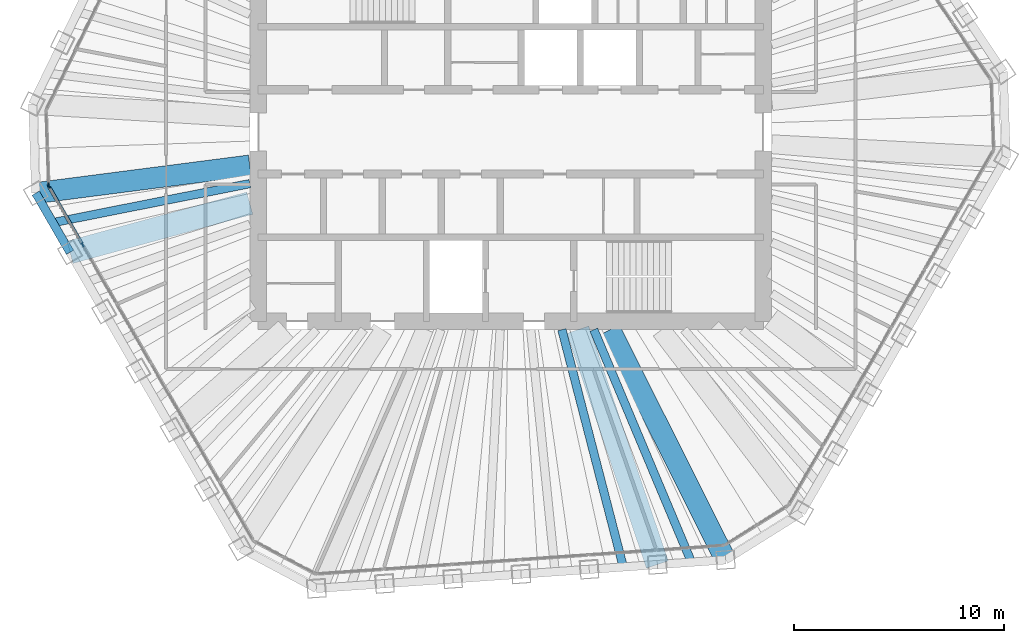
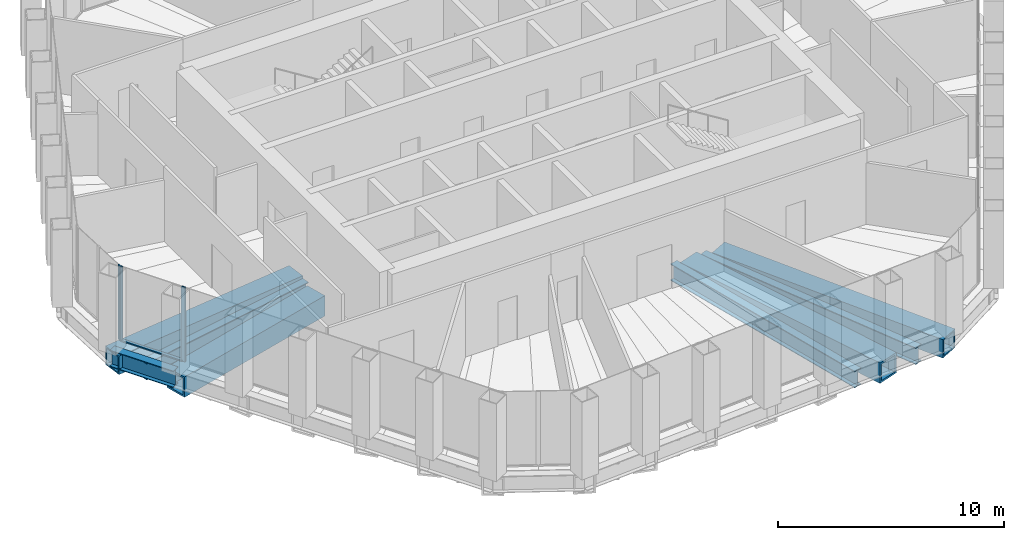
# One storey, part 3 of 14: 8 beams, 4 members, 2 elements without a shape of their own.
"""IFC4 building model written with IfcOpenShell, lengths in metres."""

from ifc_helpers import new_model, si_unit, direction, frame, origin, origin_2d, place, context, subcontext, project, spatial, rectangle, hollow_rectangle, i_section, extrude, material, material_profile, profile_set, type_object, element, aggregate, save


model = new_model("IFC4")

# Units and contexts
model_context = context("Model", 3, precision=1e-05, world=origin(), true_north=direction((0.0, 1.0)))
body_context = subcontext(model_context, "Body", "Model", "MODEL_VIEW")
ifc_project = project(units=[si_unit("LENGTHUNIT", "METRE"), si_unit("AREAUNIT", "SQUARE_METRE"), si_unit("VOLUMEUNIT", "CUBIC_METRE"), si_unit("PLANEANGLEUNIT", "RADIAN"), si_unit("MASSUNIT", "GRAM", prefix="KILO")], contexts=[model_context])

# Site, building, storey
site_placement = place(None, origin())
site = spatial("IfcSite", under=ifc_project, at=site_placement, CompositionType="ELEMENT")
building_placement = place(site_placement, origin())
building = spatial("IfcBuilding", under=site, at=building_placement, Name="Qingtian Harvest Tower", CompositionType="ELEMENT")
storey_placement = place(building_placement, frame((0.0, 0.0, 304.0)))
storey = spatial("IfcBuildingStorey", under=building, at=storey_placement, Name="L67", CompositionType="ELEMENT", Elevation=304.0)

# Beams
ifc_material_1 = material(Name="Steel SN490B", Category="steel")
ifc_material_profile_1 = material_profile(ifc_material_1, i_section(OverallWidth=0.39990234375, OverallDepth=0.89990234375, WebThickness=0.01904296875, FlangeThickness=0.035888671875, at=origin_2d()), Name="H900x400x19x36")
ifc_profile_set_1 = profile_set([ifc_material_profile_1], Name="Steel SN490B")
beam_type_1 = type_object("IfcBeamType", Name="Floor joist J4 H900x400x19x36", PredefinedType="JOIST", material=ifc_profile_set_1)
beam_1_placement = place(storey_placement, frame((8.58935546875, -20.45068359375, -0.6201171875), z_axis=(-0.387234562114, 0.921981232946, 0.0), x_axis=(-0.921981232946, -0.387234562114, 0.0)))
element("IfcBeam", 1, at=beam_1_placement, inside=storey, type_object=beam_type_1, Name="Floor joist J4 S0", PredefinedType="JOIST", context=body_context, shape_type="SweptSolid", body=[
    extrude(i_section(OverallWidth=0.39990234375, OverallDepth=0.89990234375, WebThickness=0.01904296875, FlangeThickness=0.035888671875, at=origin_2d()), origin(), (0.0, 0.0, 1.0), 11.98583984375),
])
beam_2_placement = place(storey_placement, frame((5.349365234375, -20.67724609375, -0.6201171875), z_axis=(-0.250457336117, 0.968127637652, 0.0), x_axis=(-0.968127637652, -0.250457336117, 0.0)))
element("IfcBeam", 2, at=beam_2_placement, inside=storey, type_object=beam_type_1, Name="Floor joist J4 S1", PredefinedType="JOIST", context=body_context, shape_type="SweptSolid", body=[
    extrude(i_section(OverallWidth=0.39990234375, OverallDepth=0.89990234375, WebThickness=0.01904296875, FlangeThickness=0.035888671875, at=origin_2d()), origin(), (0.0, 0.0, 1.0), 11.648681640625),
])
beam_3_placement = place(storey_placement, frame((-21.757568359375, -4.31494140625, -0.6201171875), z_axis=(0.980898289228, 0.194521325796, 0.0), x_axis=(-0.194521325796, 0.980898289228, 0.0)))
element("IfcBeam", 3, at=beam_3_placement, inside=storey, type_object=beam_type_1, Name="Floor joist J4 SW5", PredefinedType="JOIST", context=body_context, shape_type="SweptSolid", body=[
    extrude(i_section(OverallWidth=0.39990234375, OverallDepth=0.89990234375, WebThickness=0.01904296875, FlangeThickness=0.035888671875, at=origin_2d()), origin(), (0.0, 0.0, 1.0), 9.539794921875),
])

# Curtain wall, members
ifc_material_2 = material(Name="Bronze-anodised aluminium curtain wall", Category="aluminium")
curtain_wall_type = type_object("IfcCurtainWallType", Name="Curtain wall CW5 upper office", PredefinedType="USERDEFINED", material=ifc_material_2)
curtain_wall_1_placement = place(storey_placement, origin())
curtain_wall_1 = element("IfcCurtainWall", 4, at=curtain_wall_1_placement, inside=storey, type_object=curtain_wall_type, Name="Curtain wall CW5 L67 SW0-5", ObjectType="RECESSED CURTAIN WALL", PredefinedType="USERDEFINED")
ifc_material_3 = material(Name="Bronze-anodised aluminium mullion", Category="aluminium")
ifc_material_profile_2 = material_profile(ifc_material_3, rectangle(XDim=0.06494140625, YDim=0.199951171875, at=origin_2d()), Name="AL 65x200")
ifc_profile_set_2 = profile_set([ifc_material_profile_2], Name="Bronze-anodised aluminium mullion")
member_type_1 = type_object("IfcMemberType", Name="Mullion CWM 65x200", PredefinedType="MULLION", material=ifc_profile_set_2)
member_1_placement = place(storey_placement, frame((-20.33935546875, -5.371337890625, 0.0), z_axis=(0.0, 0.0, 1.0), x_axis=(-0.866025403784, -0.5, 0.0)))
member_1 = element("IfcMember", 5, at=member_1_placement, type_object=member_type_1, Name="CW5 mullion 6", PredefinedType="MULLION", context=body_context, shape_type="SweptSolid", body=[
    extrude(rectangle(XDim=0.06494140625, YDim=0.199951171875, at=origin_2d()), origin(), (0.0, 0.0, 1.0), 4.030029296875),
])
member_2_placement = place(storey_placement, frame((-21.947021484375, -2.586669921875, 0.0), z_axis=(0.0, 0.0, 1.0), x_axis=(-0.866025403784, -0.5, 0.0)))
member_2 = element("IfcMember", 6, at=member_2_placement, type_object=member_type_1, Name="CW5 mullion 7", PredefinedType="MULLION", context=body_context, shape_type="SweptSolid", body=[
    extrude(rectangle(XDim=0.06494140625, YDim=0.199951171875, at=origin_2d()), origin(), (0.0, 0.0, 1.0), 4.030029296875),
])

# Curtain wall, member
curtain_wall_2_placement = place(storey_placement, origin())
curtain_wall_2 = element("IfcCurtainWall", 7, at=curtain_wall_2_placement, inside=storey, type_object=curtain_wall_type, Name="Curtain wall CW5 L67 SWC", ObjectType="RECESSED CURTAIN WALL", PredefinedType="USERDEFINED")
member_3_placement = place(storey_placement, frame((-21.96435546875, -2.526123046875, 0.0), z_axis=(0.0, 0.0, 1.0), x_axis=(-0.999390827019, -0.034899496703, 0.0)))
member_3 = element("IfcMember", 8, at=member_3_placement, type_object=member_type_1, Name="CW5 mullion 1", PredefinedType="MULLION", context=body_context, shape_type="SweptSolid", body=[
    extrude(rectangle(XDim=0.06494140625, YDim=0.199951171875, at=origin_2d()), origin(), (0.0, 0.0, 1.0), 4.030029296875),
])
aggregate(curtain_wall_2, [member_3])

# Beams
ifc_material_4 = material(Name="Steel SN490B", Category="steel")
ifc_material_profile_3 = material_profile(ifc_material_4, i_section(OverallWidth=0.39990234375, OverallDepth=0.89990234375, WebThickness=0.01904296875, FlangeThickness=0.035888671875, at=origin_2d()), Name="H900x400x19x36")
ifc_profile_set_3 = profile_set([ifc_material_profile_3], Name="Steel SN490B")
beam_type_2 = type_object("IfcBeamType", Name="Spandrel beam SB4 H900x400x19x36", PredefinedType="SPANDREL", material=ifc_profile_set_3)
beam_4_placement = place(storey_placement, frame((-20.945556640625, -5.721435546875, -0.449951171875), z_axis=(-0.499987045439, 0.866032882975, 0.0), x_axis=(-0.866032882975, -0.499987045439, 0.0)))
element("IfcBeam", 9, at=beam_4_placement, inside=storey, type_object=beam_type_2, Name="Spandrel SB4 SW5", PredefinedType="SPANDREL", context=body_context, shape_type="SweptSolid", body=[
    extrude(i_section(OverallWidth=0.39990234375, OverallDepth=0.89990234375, WebThickness=0.01904296875, FlangeThickness=0.035888671875, at=origin_2d()), origin(), (0.0, 0.0, 1.0), 3.248046875),
])
ifc_material_5 = material(Name="Steel SM570MC", Category="steel")
ifc_material_profile_4 = material_profile(ifc_material_5, hollow_rectangle(XDim=1.0, YDim=1.0, WallThickness=0.080078125, at=origin_2d()), Name="BOX1000x1000x80")
ifc_profile_set_4 = profile_set([ifc_material_profile_4], Name="Steel SM570MC")
beam_type_3 = type_object("IfcBeamType", Name="Transfer corner beam FB11 BOX1000x1000x80", PredefinedType="BEAM", material=ifc_profile_set_4)
beam_5_placement = place(storey_placement, frame((10.20947265625, -20.33740234375, -0.669921875), z_axis=(-0.448649335107, 0.893707879627, 0.0), x_axis=(-0.893707879627, -0.448649335107, 0.0)))
element("IfcBeam", 10, at=beam_5_placement, inside=storey, type_object=beam_type_3, Name="Floor beam FB11 S0", PredefinedType="BEAM", context=body_context, shape_type="SweptSolid", body=[
    extrude(hollow_rectangle(XDim=1.0, YDim=1.0, WallThickness=0.080078125, at=origin_2d()), origin(), (0.0, 0.0, 1.0), 12.23828125),
])
beam_6_placement = place(storey_placement, frame((-22.569580078125, -2.908447265625, -0.669921875), z_axis=(0.991798519758, 0.127811174026, 0.0), x_axis=(-0.127811174026, 0.991798519758, 0.0)))
element("IfcBeam", 11, at=beam_6_placement, inside=storey, type_object=beam_type_3, Name="Floor beam FB11 SW6", PredefinedType="BEAM", context=body_context, shape_type="SweptSolid", body=[
    extrude(hollow_rectangle(XDim=1.0, YDim=1.0, WallThickness=0.080078125, at=origin_2d()), origin(), (0.0, 0.0, 1.0), 10.253662109375),
])
ifc_material_6 = material(Name="Steel SM570MC", Category="steel")
ifc_material_profile_5 = material_profile(ifc_material_6, hollow_rectangle(XDim=1.10009765625, YDim=1.10009765625, WallThickness=0.10009765625, at=origin_2d()), Name="BOX1100x1100x100")
ifc_profile_set_5 = profile_set([ifc_material_profile_5], Name="Steel SM570MC")
beam_type_4 = type_object("IfcBeamType", Name="Transfer floor beam FB9 BOX1100x1100x100", PredefinedType="BEAM", material=ifc_profile_set_5)
beam_7_placement = place(storey_placement, frame((6.96923828125, -20.56396484375, -0.719970703125), z_axis=(-0.320964658262, 0.947091172035, 0.0), x_axis=(-0.947091172035, -0.320964658262, 0.0)))
element("IfcBeam", 12, at=beam_7_placement, inside=storey, type_object=beam_type_4, Name="Floor beam FB9 S1", PredefinedType="BEAM", context=body_context, shape_type="SweptSolid", body=[
    extrude(hollow_rectangle(XDim=1.10009765625, YDim=1.10009765625, WallThickness=0.10009765625, at=origin_2d()), origin(), (0.0, 0.0, 1.0), 11.787841796875),
])
beam_8_placement = place(storey_placement, frame((-20.945556640625, -5.721435546875, -0.719970703125), z_axis=(0.96466071762, 0.26349516102, 0.0), x_axis=(-0.26349516102, 0.96466071762, 0.0)))
element("IfcBeam", 13, at=beam_8_placement, inside=storey, type_object=beam_type_4, Name="Floor beam FB9 SW5", PredefinedType="BEAM", context=body_context, shape_type="SweptSolid", body=[
    extrude(hollow_rectangle(XDim=1.10009765625, YDim=1.10009765625, WallThickness=0.10009765625, at=origin_2d()), origin(), (0.0, 0.0, 1.0), 8.858642578125),
])

# Member
ifc_material_7 = material(Name="Bronze-anodised aluminium transom", Category="aluminium")
ifc_material_profile_6 = material_profile(ifc_material_7, rectangle(XDim=0.14990234375, YDim=0.06494140625, at=origin_2d()), Name="AL 65x150")
ifc_profile_set_6 = profile_set([ifc_material_profile_6], Name="Bronze-anodised aluminium transom")
member_type_2 = type_object("IfcMemberType", Name="Transom CWT 65x150", PredefinedType="USERDEFINED", material=ifc_profile_set_6)
member_4_placement = place(storey_placement, frame((-20.35546875, -5.34326171875, 0.032470703125), z_axis=(-0.499972881236, 0.866041060244, 0.0), x_axis=(-0.866041060244, -0.499972881236, 0.0)))
member_4 = element("IfcMember", 14, at=member_4_placement, type_object=member_type_2, Name="CW5 transom 6.1", ObjectType="TRANSOM", PredefinedType="USERDEFINED", context=body_context, shape_type="SweptSolid", body=[
    extrude(rectangle(XDim=0.14990234375, YDim=0.06494140625, at=origin_2d()), origin(), (0.0, 0.0, 1.0), 3.150634765625),
])

aggregate(curtain_wall_1, [member_1, member_2, member_4])

save(model, "model.ifc")
